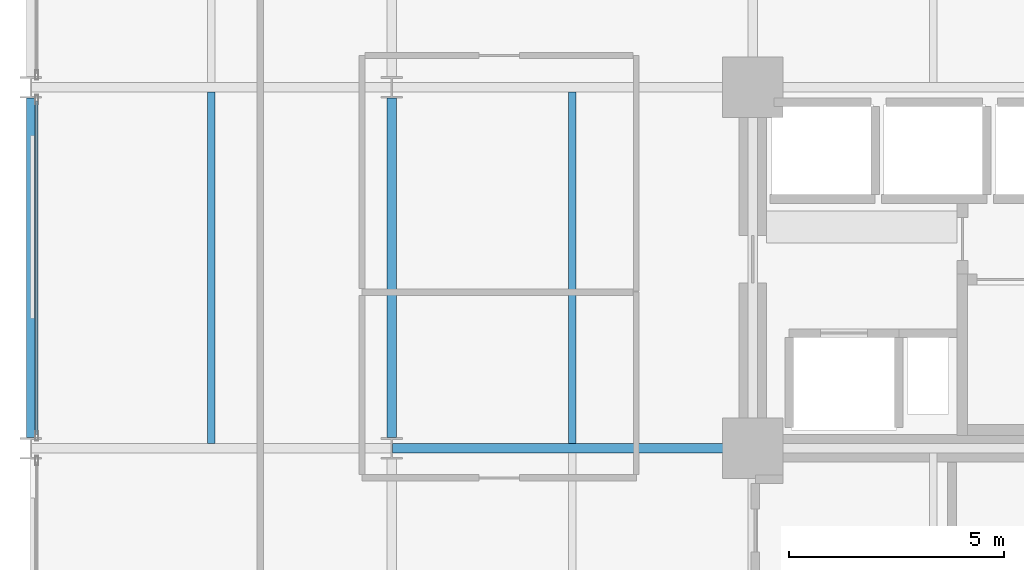
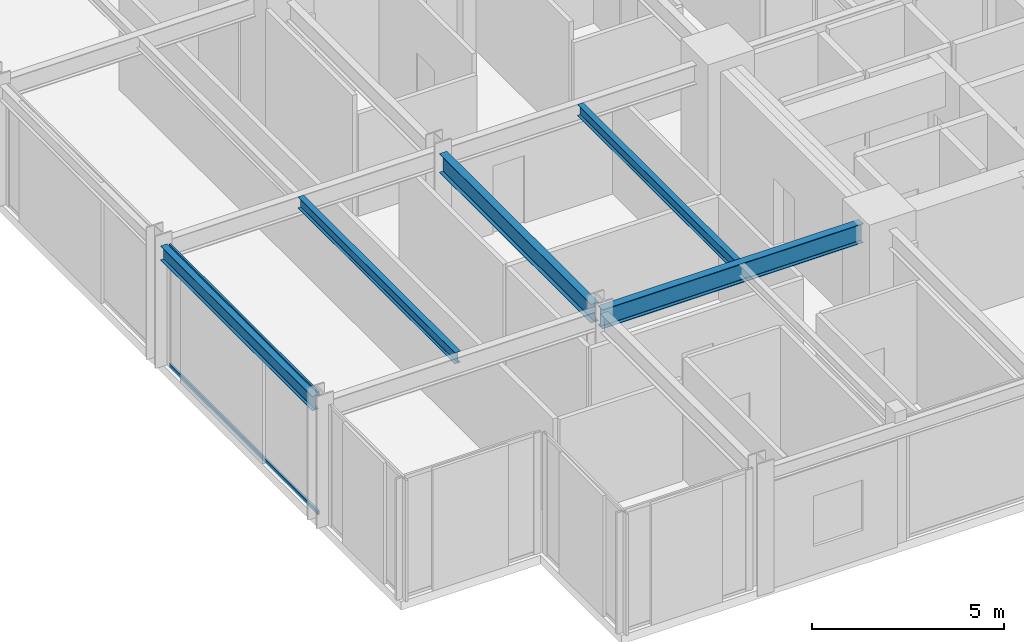
# One storey, part 5 of 26: 5 beams, 2 members, 1 element without a shape of its own.
"""IFC4 building model written with IfcOpenShell, lengths in metres."""

from ifc_helpers import new_model, si_unit, direction, frame, origin, origin_2d, place, context, subcontext, project, spatial, hollow_rectangle, i_section, extrude, material, layer, layer_set, material_profile, profile_set, type_object, element, aggregate, save


model = new_model("IFC4")

# Units and contexts
model_context = context("Model", 3, precision=1e-05, world=origin(), true_north=direction((0.0, 1.0)))
body_context = subcontext(model_context, "Body", "Model", "MODEL_VIEW")
ifc_project = project(units=[si_unit("LENGTHUNIT", "METRE"), si_unit("AREAUNIT", "SQUARE_METRE"), si_unit("VOLUMEUNIT", "CUBIC_METRE"), si_unit("PLANEANGLEUNIT", "RADIAN"), si_unit("MASSUNIT", "GRAM", prefix="KILO")], contexts=[model_context])

# Site, building, storey
site_placement = place(None, origin())
site = spatial("IfcSite", under=ifc_project, at=site_placement, CompositionType="ELEMENT")
building_placement = place(site_placement, origin())
building = spatial("IfcBuilding", under=site, at=building_placement, Name="Nerrivon Quay Data Exchange", CompositionType="ELEMENT")
storey_placement = place(building_placement, frame((0.0, 0.0, 75.199951171875)))
storey = spatial("IfcBuildingStorey", under=building, at=storey_placement, Name="L17", CompositionType="ELEMENT", Elevation=75.199951171875)

# Beams
ifc_material_1 = material(Name="Steel Grade 350", Category="steel")
ifc_material_profile_1 = material_profile(ifc_material_1, i_section(OverallWidth=0.22900390625, OverallDepth=0.612060546875, WebThickness=0.011962890625, FlangeThickness=0.01953125, FilletRadius=0.013916015625, at=origin_2d()), Name="610UB125")
ifc_profile_set_1 = profile_set([ifc_material_profile_1], Name="Steel Grade 350")
beam_type_1 = type_object("IfcBeamType", Name="BM-G1-610UB125", PredefinedType="BEAM", material=ifc_profile_set_1)
beam_1_placement = place(storey_placement, frame((8.4140625, 8.39990234375, 3.5439453125), z_axis=(1.0, 0.0, 0.0), x_axis=(0.0, 1.0, 0.0)))
element("IfcBeam", 1, at=beam_1_placement, inside=storey, type_object=beam_type_1, Name="L17 EW Girder Y=8.4 (8.4..16.8)", PredefinedType="BEAM", context=body_context, shape_type="SweptSolid", body=[
    extrude(i_section(OverallWidth=0.22900390625, OverallDepth=0.612060546875, WebThickness=0.011962890625, FlangeThickness=0.01953125, FilletRadius=0.013916015625, at=origin_2d()), origin(), (0.0, 0.0, 1.0), 7.845947265625),
])
ifc_material_profile_2 = material_profile(ifc_material_1, i_section(OverallWidth=0.22802734375, OverallDepth=0.60205078125, WebThickness=0.010498046875, FlangeThickness=0.014892578125, FilletRadius=0.013916015625, at=origin_2d()), Name="610UB101")
ifc_profile_set_2 = profile_set([ifc_material_profile_2], Name="Steel Grade 350")
beam_type_2 = type_object("IfcBeamType", Name="BM-G2-610UB101", PredefinedType="BEAM", material=ifc_profile_set_2)
beam_2_placement = place(storey_placement, frame((8.39990234375, 8.64990234375, 3.549072265625), z_axis=(0.0, 1.0, 0.0), x_axis=(-1.0, 0.0, 0.0)))
element("IfcBeam", 2, at=beam_2_placement, inside=storey, type_object=beam_type_2, Name="L17 NS Girder X=8.4 (8.4..16.8)", PredefinedType="BEAM", context=body_context, shape_type="SweptSolid", body=[
    extrude(i_section(OverallWidth=0.22802734375, OverallDepth=0.60205078125, WebThickness=0.010498046875, FlangeThickness=0.014892578125, FilletRadius=0.013916015625, at=origin_2d()), origin(), (0.0, 0.0, 1.0), 7.900146484375),
])
ifc_material_profile_3 = material_profile(ifc_material_1, i_section(OverallWidth=0.172119140625, OverallDepth=0.35888671875, WebThickness=0.008056640625, FlangeThickness=0.012939453125, FilletRadius=0.011474609375, at=origin_2d()), Name="360UB56.7")
ifc_profile_set_3 = profile_set([ifc_material_profile_3], Name="Steel Grade 350")
beam_type_3 = type_object("IfcBeamType", Name="BM-J3-360UB57", PredefinedType="JOIST", material=ifc_profile_set_3)
for number, where, z_axis, x_axis, name in (
    (3, (4.199951171875, 8.514404296875, 3.670654296875), (0.0, 1.0, 0.0), (-1.0, 0.0, 0.0), "L17 Secondary Joist X=4.2 (8.4..16.8)"),
    (4, (12.60009765625, 8.514404296875, 3.670654296875), (0.0, 1.0, 0.0), (-1.0, 0.0, 0.0), "L17 Secondary Joist X=12.6 (8.4..16.8)"),
):
    element("IfcBeam", number, at=place(storey_placement, frame(where, z_axis=z_axis, x_axis=x_axis)), inside=storey, type_object=beam_type_3, Name=name, PredefinedType="JOIST", context=body_context, shape_type="SweptSolid", body=[
        extrude(i_section(OverallWidth=0.172119140625, OverallDepth=0.35888671875, WebThickness=0.008056640625, FlangeThickness=0.012939453125, FilletRadius=0.011474609375, at=origin_2d()), origin(), (0.0, 0.0, 1.0), 8.171142578125),
    ])
ifc_material_profile_4 = material_profile(ifc_material_1, i_section(OverallWidth=0.18994140625, OverallDepth=0.4541015625, WebThickness=0.008544921875, FlangeThickness=0.0126953125, FilletRadius=0.011474609375, at=origin_2d()), Name="460UB67.1")
ifc_profile_set_4 = profile_set([ifc_material_profile_4], Name="Steel Grade 350")
beam_type_4 = type_object("IfcBeamType", Name="BM-SP1-460UB67", PredefinedType="SPANDREL", material=ifc_profile_set_4)
beam_3_placement = place(storey_placement, frame((0.0, 8.64990234375, 3.623046875), z_axis=(0.0, 1.0, 0.0), x_axis=(-1.0, 0.0, 0.0)))
element("IfcBeam", 5, at=beam_3_placement, inside=storey, type_object=beam_type_4, Name="L17 NS Girder X=0.0 (8.4..16.8)", PredefinedType="SPANDREL", context=body_context, shape_type="SweptSolid", body=[
    extrude(i_section(OverallWidth=0.18994140625, OverallDepth=0.4541015625, WebThickness=0.008544921875, FlangeThickness=0.0126953125, FilletRadius=0.011474609375, at=origin_2d()), origin(), (0.0, 0.0, 1.0), 7.900146484375),
])

# Curtain wall, members
ifc_material_2 = material(Name="Anodised aluminium 6063-T6", Category="aluminium")
ifc_layer = layer(ifc_material_2, 0.219970703125)
ifc_layer_set = layer_set([ifc_layer], Name="Anodised aluminium 6063-T6")
curtain_wall_type = type_object("IfcCurtainWallType", Name="CW-SYS-01", PredefinedType="NOTDEFINED", material=ifc_layer_set)
curtain_wall_placement = place(storey_placement, origin())
curtain_wall = element("IfcCurtainWall", 6, at=curtain_wall_placement, inside=storey, type_object=curtain_wall_type, Name="L17 Unitised Curtain Wall 18", PredefinedType="NOTDEFINED")
ifc_material_profile_5 = material_profile(ifc_material_2, hollow_rectangle(XDim=0.06005859375, YDim=0.1201171875, WallThickness=0.003173828125, at=origin_2d()), Name="ALU-TRAN-120x60")
ifc_profile_set_5 = profile_set([ifc_material_profile_5], Name="Anodised aluminium 6063-T6")
member_type = type_object("IfcMemberType", Name="CWT-120x60", PredefinedType="USERDEFINED", material=ifc_profile_set_5)
member_1_placement = place(storey_placement, frame((0.139892578125, 8.72509765625, 0.032470703125), z_axis=(0.0, 1.0, 0.0), x_axis=(-1.0, 0.0, 0.0)))
member_1 = element("IfcMember", 7, at=member_1_placement, type_object=member_type, Name="CW01 transom 1.1", ObjectType="TRANSOM", PredefinedType="USERDEFINED", context=body_context, shape_type="SweptSolid", body=[
    extrude(hollow_rectangle(XDim=0.06005859375, YDim=0.1201171875, WallThickness=0.003173828125, at=origin_2d()), origin(), (0.0, 0.0, 1.0), 7.75),
])
member_2_placement = place(storey_placement, frame((0.139892578125, 8.72509765625, 3.817626953125), z_axis=(0.0, 1.0, 0.0), x_axis=(-1.0, 0.0, 0.0)))
member_2 = element("IfcMember", 8, at=member_2_placement, type_object=member_type, Name="CW01 transom 1.2", ObjectType="TRANSOM", PredefinedType="USERDEFINED", context=body_context, shape_type="SweptSolid", body=[
    extrude(hollow_rectangle(XDim=0.06005859375, YDim=0.1201171875, WallThickness=0.003173828125, at=origin_2d()), origin(), (0.0, 0.0, 1.0), 7.75),
])
aggregate(curtain_wall, [member_1, member_2])

save(model, "model.ifc")
